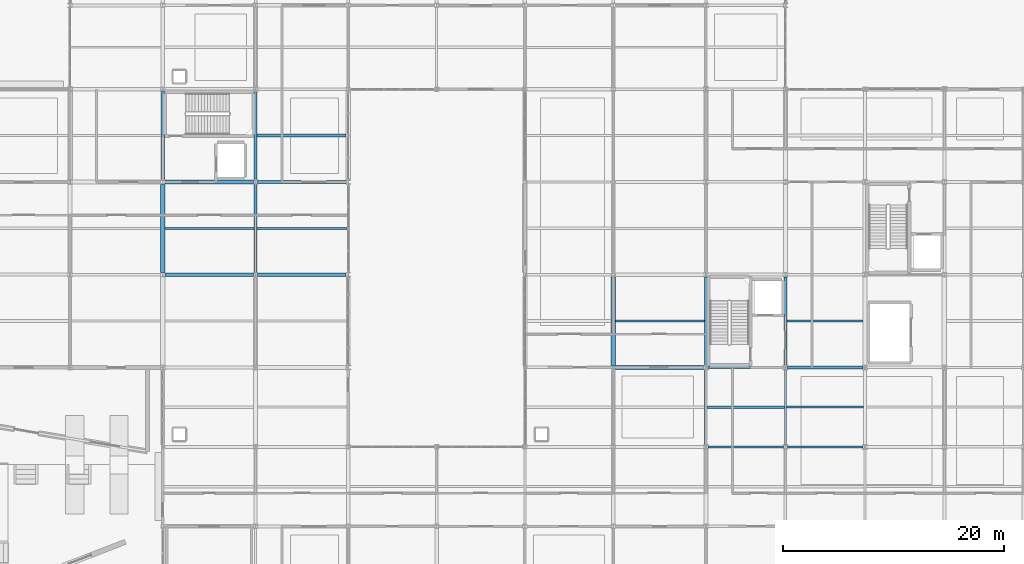
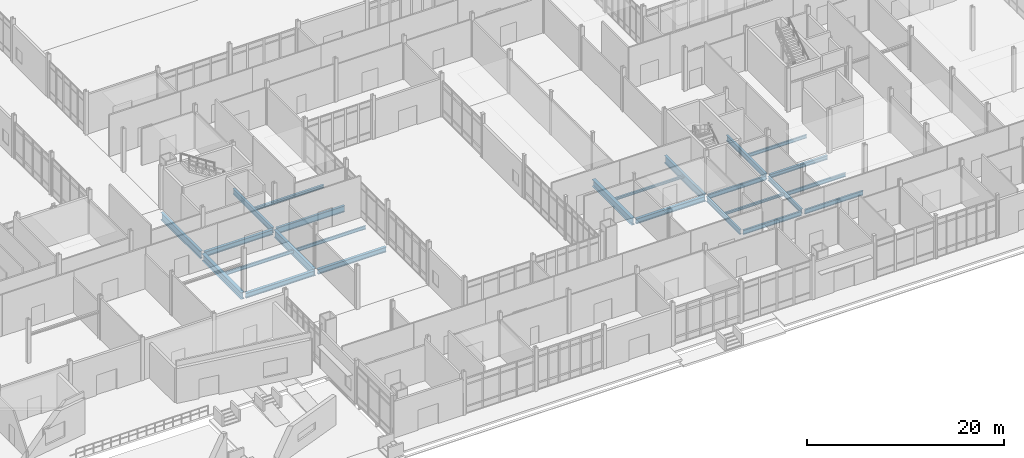
# One storey, part 53 of 229: 25 beams.
"""IFC4 building model written with IfcOpenShell, lengths in metres."""

import ifcopenshell
import ifcopenshell.guid

model = None  # the IFC model being written
_history = None  # IfcOwnerHistory: only IFC2X3 demands one
_inside = {}  # id of a spatial element -> (the spatial element, [elements in it])
_under = {}  # id of a project, library or spatial element -> (it, [spatial elements below it])
_declared = {}  # id of a project -> (the project, [libraries it declares])
_typed = {}  # id of a type object -> (the type object, [elements of that type])
_made_of = {}  # id of a material, layer set ... -> (it, [elements and type objects made of it])


def new_model(schema):
    """Start an empty IFC model of exactly this schema.

    Asked for "IFC4X3", IfcOpenShell would pick the latest addendum, in which some entities
    have other attributes; the version numbers below select the first issue.
    IFC2X3 requires an IfcOwnerHistory on every rooted entity: one is made here for all.
    """
    global model, _history
    if schema == "IFC4X3":
        model = ifcopenshell.file(schema_version=(4, 3, 0, 0))
    else:
        model = ifcopenshell.file(schema=schema)
    _inside.clear()
    _under.clear()
    _declared.clear()
    _typed.clear()
    _made_of.clear()
    _history = None
    if model.schema == "IFC2X3":
        org = make("IfcOrganization", Name="unknown")
        user = make(
            "IfcPersonAndOrganization",
            ThePerson=make("IfcPerson", FamilyName="unknown"),
            TheOrganization=org,
        )
        app = make(
            "IfcApplication",
            ApplicationDeveloper=org,
            Version="unknown",
            ApplicationFullName="unknown",
            ApplicationIdentifier="unknown",
        )
        _history = make(
            "IfcOwnerHistory",
            OwningUser=user,
            OwningApplication=app,
            ChangeAction="ADDED",
            CreationDate=0,
        )
    return model


def make(cls, **values):
    """One entity of the class cls with the attributes given. An attribute that is None is left unset."""
    return model.create_entity(
        cls, **{name: value for name, value in values.items() if value is not None}
    )


def rooted(cls, **values):
    """An entity with a GlobalId (a new one), such as an element, a storey or a relation."""
    return make(cls, GlobalId=ifcopenshell.guid.new(), OwnerHistory=_history, **values)


def si_unit(unit_type, name, prefix=None):
    """IfcSIUnit, for example si_unit("LENGTHUNIT", "METRE", prefix="MILLI")."""
    return make("IfcSIUnit", UnitType=unit_type, Prefix=prefix, Name=name)


def assignment(units):
    """IfcUnitAssignment: the units of a project."""
    return None if units is None else make("IfcUnitAssignment", Units=units)


def point(xyz):
    """IfcCartesianPoint."""
    return None if xyz is None else make("IfcCartesianPoint", Coordinates=xyz)


def direction(xyz):
    """IfcDirection."""
    return None if xyz is None else make("IfcDirection", DirectionRatios=xyz)


def frame(location, z_axis=None, x_axis=None):
    """IfcAxis2Placement3D, a coordinate frame: its origin and axes. An axis left out is left unset."""
    return make(
        "IfcAxis2Placement3D",
        Location=point(location),
        Axis=direction(z_axis),
        RefDirection=direction(x_axis),
    )


def frame_2d(location, x_axis=None):
    """IfcAxis2Placement2D, a coordinate frame in the plane: its origin and x axis."""
    return make(
        "IfcAxis2Placement2D", Location=point(location), RefDirection=direction(x_axis)
    )


def origin():
    """The frame at (0, 0, 0) with its axes left unset."""
    return frame((0.0, 0.0, 0.0))


def origin_2d():
    """The frame at (0, 0) in the plane with its x axis left unset."""
    return frame_2d((0.0, 0.0))


def place(relative_to, where):
    """IfcLocalPlacement: puts the frame where relative to a parent placement (None: the world)."""
    return make(
        "IfcLocalPlacement", PlacementRelTo=relative_to, RelativePlacement=where
    )


def context(
    kind, dimensions, precision=None, world=None, true_north=None, identifier=None
):
    """IfcGeometricRepresentationContext, for example the 3D "Model" context."""
    return make(
        "IfcGeometricRepresentationContext",
        ContextIdentifier=identifier,
        ContextType=kind,
        CoordinateSpaceDimension=dimensions,
        Precision=precision,
        WorldCoordinateSystem=world,
        TrueNorth=true_north,
    )


def subcontext(parent, identifier, kind, view, scale=None):
    """IfcGeometricRepresentationSubContext, for example "Body" below "Model"."""
    return make(
        "IfcGeometricRepresentationSubContext",
        ContextIdentifier=identifier,
        ContextType=kind,
        ParentContext=parent,
        TargetScale=scale,
        TargetView=view,
    )


def project(units=None, contexts=None):
    """IfcProject with its units and contexts."""
    return rooted(
        "IfcProject",
        Name="project",
        RepresentationContexts=contexts,
        UnitsInContext=assignment(units),
    )


def spatial(cls, under=None, at=None, **own):
    """A site, building, storey or space (cls), placed at a placement, below another one or the project."""
    s = rooted(cls, ObjectPlacement=at, **own)
    if under is not None:
        _under.setdefault(under.id(), (under, []))[1].append(s)
    return s


def profile(cls, at=None, kind="AREA", **sizes):
    """A parametric profile (cls). Its sizes go by their IFC names, for example OverallWidth=200.0."""
    return make(cls, ProfileType=kind, Position=at, **sizes)


def i_section(**sizes):
    """IfcIShapeProfileDef."""
    return profile("IfcIShapeProfileDef", **sizes)


def extrude(swept, where, along, depth):
    """IfcExtrudedAreaSolid: the profile swept, set in the frame where, extruded along a direction by depth."""
    return make(
        "IfcExtrudedAreaSolid",
        SweptArea=swept,
        Position=where,
        ExtrudedDirection=direction(along),
        Depth=depth,
    )


def shape(context_of_items, identifier, shape_type, items):
    """IfcShapeRepresentation: the items that make up one representation, for example the "Body"."""
    return make(
        "IfcShapeRepresentation",
        ContextOfItems=context_of_items,
        RepresentationIdentifier=identifier,
        RepresentationType=shape_type,
        Items=items,
    )


def material(Name=None, Category=None):
    """IfcMaterial."""
    return make("IfcMaterial", Name=Name, Category=Category)


def material_profile(
    of_material, cross_section, Name=None, Category=None, Priority=None
):
    """IfcMaterialProfile: a cross section and its material."""
    return make(
        "IfcMaterialProfile",
        Name=Name,
        Material=of_material,
        Profile=cross_section,
        Priority=Priority,
        Category=Category,
    )


def profile_set(profiles, Name=None, composite=None):
    """IfcMaterialProfileSet."""
    return make(
        "IfcMaterialProfileSet",
        Name=Name,
        MaterialProfiles=profiles,
        CompositeProfile=composite,
    )


def made_of(thing, what):
    """Note that an element or type object is made of a material, layer set ...; save() writes the relation."""
    if what is not None:
        _made_of.setdefault(what.id(), (what, []))[1].append(thing)
    return thing


def type_object(cls, material=None, **own):
    """A type object (cls), such as IfcWallType, which elements share."""
    return made_of(rooted(cls, **own), material)


def element(
    cls,
    number,
    at=None,
    inside=None,
    cuts=None,
    type_object=None,
    material=None,
    context=None,
    identifier="Body",
    shape_type=None,
    held_by="IfcProductDefinitionShape",
    body=None,
    shapes=None,
    **own,
):
    """One element of the class cls, such as IfcWall. Its Tag is "e" and its number.

    at: its placement. inside: the storey or other place that contains it. cuts: it is an
    opening in that element (IfcRelVoidsElement). A single representation is given by context,
    identifier, shape_type and body (its items); several are given by shapes. held_by: the class
    of the entity that holds the representations. save() writes the other relations.
    """
    e = rooted(cls, Tag="e%d" % number, ObjectPlacement=at, **own)
    if body is not None:
        shapes = [shape(context, identifier, shape_type, body)]
    if shapes is not None:
        e.Representation = make(held_by, Representations=shapes)
    if inside is not None:
        _inside.setdefault(inside.id(), (inside, []))[1].append(e)
    if cuts is not None:
        rooted(
            "IfcRelVoidsElement", RelatingBuildingElement=cuts, RelatedOpeningElement=e
        )
    if type_object is not None:
        _typed.setdefault(type_object.id(), (type_object, []))[1].append(e)
    return made_of(e, material)


def aggregate(whole, parts):
    """IfcRelAggregates: a whole, such as a stair, and the parts it consists of."""
    return rooted("IfcRelAggregates", RelatingObject=whole, RelatedObjects=parts)


def save(model, path):
    """Write the relations noted so far, then the file.

    IfcRelAggregates (storeys below a building ...), IfcRelContainedInSpatialStructure (elements
    in a storey), IfcRelDefinesByType, IfcRelAssociatesMaterial and IfcRelDeclares: one each for
    every whole, place, type object, material and project.
    """
    for whole, parts in _under.values():
        aggregate(whole, parts)
    for where, things in _inside.values():
        rooted(
            "IfcRelContainedInSpatialStructure",
            RelatedElements=things,
            RelatingStructure=where,
        )
    for kind, things in _typed.values():
        rooted("IfcRelDefinesByType", RelatedObjects=things, RelatingType=kind)
    for what, things in _made_of.values():
        rooted("IfcRelAssociatesMaterial", RelatedObjects=things, RelatingMaterial=what)
    for by, libraries in _declared.values():
        rooted("IfcRelDeclares", RelatingContext=by, RelatedDefinitions=libraries)
    model.write(path)


model = new_model("IFC4")

# Units and contexts
model_context = context("Model", 3, precision=1e-05, world=origin(), true_north=direction((0.0, 1.0)))
body_context = subcontext(model_context, "Body", "Model", "MODEL_VIEW")
ifc_project = project(units=[si_unit("LENGTHUNIT", "METRE"), si_unit("AREAUNIT", "SQUARE_METRE"), si_unit("VOLUMEUNIT", "CUBIC_METRE"), si_unit("PLANEANGLEUNIT", "RADIAN"), si_unit("MASSUNIT", "GRAM", prefix="KILO")], contexts=[model_context])

# Site, building, storey
site_placement = place(None, origin())
site = spatial("IfcSite", under=ifc_project, at=site_placement, CompositionType="ELEMENT")
building_placement = place(site_placement, origin())
building = spatial("IfcBuilding", under=site, at=building_placement, Name="Calvrana Isthmian Art Gallery", CompositionType="ELEMENT")
storey_placement = place(building_placement, origin())
storey = spatial("IfcBuildingStorey", under=building, at=storey_placement, Name="L00", CompositionType="ELEMENT", Elevation=0.0)

# Beams
ifc_material = material(Name="Steel ASTM A992 Gr 50", Category="steel")
ifc_material_profile_1 = material_profile(ifc_material, i_section(OverallWidth=0.279052734375, OverallDepth=0.4619140625, WebThickness=0.0107421875, FlangeThickness=0.017333984375, FilletRadius=0.02001953125, at=origin_2d()), Name="W18X76")
ifc_profile_set_1 = profile_set([ifc_material_profile_1], Name="Steel ASTM A992 Gr 50")
beam_type_1 = type_object("IfcBeamType", Name="BM-G-W18X76", PredefinedType="BEAM", material=ifc_profile_set_1)
beam_1_placement = place(storey_placement, frame((120.201904296875, 21.60009765625, -0.51611328125), z_axis=(1.0, 0.0, 0.0), x_axis=(0.0, 1.0, 0.0)))
element("IfcBeam", 1, at=beam_1_placement, inside=storey, type_object=beam_type_1, Name="Girder X L00 16-17/D", PredefinedType="BEAM", context=body_context, shape_type="SweptSolid", body=[
    extrude(i_section(OverallWidth=0.279052734375, OverallDepth=0.4619140625, WebThickness=0.0107421875, FlangeThickness=0.017333984375, FilletRadius=0.02001953125, at=origin_2d()), origin(), (0.0, 0.0, 1.0), 6.798583984375),
])
ifc_material_profile_2 = material_profile(ifc_material, i_section(OverallWidth=0.208984375, OverallDepth=0.532958984375, WebThickness=0.01025390625, FlangeThickness=0.015625, FilletRadius=0.02099609375, at=origin_2d()), Name="W21X62")
ifc_profile_set_2 = profile_set([ifc_material_profile_2], Name="Steel ASTM A992 Gr 50")
beam_type_2 = type_object("IfcBeamType", Name="BM-G-W21X62", PredefinedType="BEAM", material=ifc_profile_set_2)
beam_2_placement = place(storey_placement, frame((120.199462890625, 14.39990234375, -0.551513671875), z_axis=(1.0, 0.0, 0.0), x_axis=(0.0, 1.0, 0.0)))
element("IfcBeam", 2, at=beam_2_placement, inside=storey, type_object=beam_type_2, Name="Girder X L00 16-17/C", PredefinedType="BEAM", context=body_context, shape_type="SweptSolid", body=[
    extrude(i_section(OverallWidth=0.208984375, OverallDepth=0.532958984375, WebThickness=0.01025390625, FlangeThickness=0.015625, FilletRadius=0.02099609375, at=origin_2d()), origin(), (0.0, 0.0, 1.0), 6.802490234375),
])
beam_3_placement = place(storey_placement, frame((112.99951171875, 21.60009765625, -0.551513671875), z_axis=(1.0, 0.0, 0.0), x_axis=(0.0, 1.0, 0.0)))
element("IfcBeam", 3, at=beam_3_placement, inside=storey, type_object=beam_type_2, Name="Girder X L00 15-16/D", PredefinedType="BEAM", context=body_context, shape_type="SweptSolid", body=[
    extrude(i_section(OverallWidth=0.208984375, OverallDepth=0.532958984375, WebThickness=0.01025390625, FlangeThickness=0.015625, FilletRadius=0.02099609375, at=origin_2d()), origin(), (0.0, 0.0, 1.0), 6.798583984375),
])
beam_4_placement = place(storey_placement, frame((120.0, 14.593017578125, -0.551513671875), z_axis=(0.0, 1.0, 0.0), x_axis=(-1.0, 0.0, 0.0)))
element("IfcBeam", 4, at=beam_4_placement, inside=storey, type_object=beam_type_2, Name="Girder Y L00 16/C-D", PredefinedType="BEAM", context=body_context, shape_type="SweptSolid", body=[
    extrude(i_section(OverallWidth=0.208984375, OverallDepth=0.532958984375, WebThickness=0.01025390625, FlangeThickness=0.015625, FilletRadius=0.02099609375, at=origin_2d()), origin(), (0.0, 0.0, 1.0), 6.803955078125),
])
ifc_material_profile_3 = material_profile(ifc_material, i_section(OverallWidth=0.214111328125, OverallDepth=0.549072265625, WebThickness=0.0146484375, FlangeThickness=0.023681640625, FilletRadius=0.02099609375, at=origin_2d()), Name="W21X93")
ifc_profile_set_3 = profile_set([ifc_material_profile_3], Name="Steel ASTM A992 Gr 50")
beam_type_3 = type_object("IfcBeamType", Name="BM-G-W21X93", PredefinedType="BEAM", material=ifc_profile_set_3)
beam_5_placement = place(storey_placement, frame((112.986572265625, 14.39990234375, -0.5595703125), z_axis=(1.0, 0.0, 0.0), x_axis=(0.0, 1.0, 0.0)))
element("IfcBeam", 5, at=beam_5_placement, inside=storey, type_object=beam_type_3, Name="Girder X L00 15-16/C", PredefinedType="BEAM", context=body_context, shape_type="SweptSolid", body=[
    extrude(i_section(OverallWidth=0.214111328125, OverallDepth=0.549072265625, WebThickness=0.0146484375, FlangeThickness=0.023681640625, FilletRadius=0.02099609375, at=origin_2d()), origin(), (0.0, 0.0, 1.0), 6.81396484375),
])
ifc_material_profile_4 = material_profile(ifc_material, i_section(OverallWidth=0.324951171875, OverallDepth=0.612060546875, WebThickness=0.0126953125, FlangeThickness=0.01904296875, FilletRadius=0.02197265625, at=origin_2d()), Name="W24X104")
ifc_profile_set_4 = profile_set([ifc_material_profile_4], Name="Steel ASTM A992 Gr 50")
beam_type_4 = type_object("IfcBeamType", Name="BM-G-W24X104", PredefinedType="BEAM", material=ifc_profile_set_4)
beam_6_placement = place(storey_placement, frame((72.199462890625, 30.0, -0.591064453125), z_axis=(1.0, 0.0, 0.0), x_axis=(0.0, 1.0, 0.0)))
element("IfcBeam", 6, at=beam_6_placement, inside=storey, type_object=beam_type_4, Name="Girder X L00 10-11/E", PredefinedType="BEAM", context=body_context, shape_type="SweptSolid", body=[
    extrude(i_section(OverallWidth=0.324951171875, OverallDepth=0.612060546875, WebThickness=0.0126953125, FlangeThickness=0.01904296875, FilletRadius=0.02197265625, at=origin_2d()), origin(), (0.0, 0.0, 1.0), 7.99755859375),
])
beam_7_placement = place(storey_placement, frame((63.802978515625, 38.39990234375, -0.591064453125), z_axis=(1.0, 0.0, 0.0), x_axis=(0.0, 1.0, 0.0)))
element("IfcBeam", 7, at=beam_7_placement, inside=storey, type_object=beam_type_4, Name="Girder X L00 09-10/F", PredefinedType="BEAM", context=body_context, shape_type="SweptSolid", body=[
    extrude(i_section(OverallWidth=0.324951171875, OverallDepth=0.612060546875, WebThickness=0.0126953125, FlangeThickness=0.01904296875, FilletRadius=0.02197265625, at=origin_2d()), origin(), (0.0, 0.0, 1.0), 7.99658203125),
])
ifc_material_profile_5 = material_profile(ifc_material, i_section(OverallWidth=0.327880859375, OverallDepth=0.6220703125, WebThickness=0.015380859375, FlangeThickness=0.0244140625, FilletRadius=0.02197265625, at=origin_2d()), Name="W24X131")
ifc_profile_set_5 = profile_set([ifc_material_profile_5], Name="Steel ASTM A992 Gr 50")
beam_type_5 = type_object("IfcBeamType", Name="BM-G-W24X131", PredefinedType="BEAM", material=ifc_profile_set_5)
beam_8_placement = place(storey_placement, frame((104.58642578125, 21.60009765625, -0.595947265625), z_axis=(1.0, 0.0, 0.0), x_axis=(0.0, 1.0, 0.0)))
element("IfcBeam", 8, at=beam_8_placement, inside=storey, type_object=beam_type_5, Name="Girder X L00 14-15/D", PredefinedType="BEAM", context=body_context, shape_type="SweptSolid", body=[
    extrude(i_section(OverallWidth=0.327880859375, OverallDepth=0.6220703125, WebThickness=0.015380859375, FlangeThickness=0.0244140625, FilletRadius=0.02197265625, at=origin_2d()), origin(), (0.0, 0.0, 1.0), 8.01416015625),
])
beam_9_placement = place(storey_placement, frame((63.802001953125, 30.0, -0.595947265625), z_axis=(1.0, 0.0, 0.0), x_axis=(0.0, 1.0, 0.0)))
element("IfcBeam", 9, at=beam_9_placement, inside=storey, type_object=beam_type_5, Name="Girder X L00 09-10/E", PredefinedType="BEAM", context=body_context, shape_type="SweptSolid", body=[
    extrude(i_section(OverallWidth=0.327880859375, OverallDepth=0.6220703125, WebThickness=0.015380859375, FlangeThickness=0.0244140625, FilletRadius=0.02197265625, at=origin_2d()), origin(), (0.0, 0.0, 1.0), 7.99853515625),
])
ifc_material_profile_6 = material_profile(ifc_material, i_section(OverallWidth=0.22802734375, OverallDepth=0.60693359375, WebThickness=0.01123046875, FlangeThickness=0.017333984375, FilletRadius=0.02197265625, at=origin_2d()), Name="W24X76")
ifc_profile_set_6 = profile_set([ifc_material_profile_6], Name="Steel ASTM A992 Gr 50")
beam_type_6 = type_object("IfcBeamType", Name="BM-G-W24X76", PredefinedType="BEAM", material=ifc_profile_set_6)
beam_10_placement = place(storey_placement, frame((112.800048828125, 14.58642578125, -0.58837890625), z_axis=(0.0, 1.0, 0.0), x_axis=(-1.0, 0.0, 0.0)))
element("IfcBeam", 10, at=beam_10_placement, inside=storey, type_object=beam_type_6, Name="Girder Y L00 15/C-D", PredefinedType="BEAM", context=body_context, shape_type="SweptSolid", body=[
    extrude(i_section(OverallWidth=0.22802734375, OverallDepth=0.60693359375, WebThickness=0.01123046875, FlangeThickness=0.017333984375, FilletRadius=0.02197265625, at=origin_2d()), origin(), (0.0, 0.0, 1.0), 6.820556640625),
])
ifc_material_profile_7 = material_profile(ifc_material, i_section(OverallWidth=0.257080078125, OverallDepth=0.693115234375, WebThickness=0.014404296875, FlangeThickness=0.023681640625, FilletRadius=0.02392578125, at=origin_2d()), Name="W27X114")
ifc_profile_set_7 = profile_set([ifc_material_profile_7], Name="Steel ASTM A992 Gr 50")
beam_type_7 = type_object("IfcBeamType", Name="BM-G-W27X114", PredefinedType="BEAM", material=ifc_profile_set_7)
beam_11_placement = place(storey_placement, frame((72.0, 38.599609375, -0.631591796875), z_axis=(0.0, 1.0, 0.0), x_axis=(-1.0, 0.0, 0.0)))
element("IfcBeam", 11, at=beam_11_placement, inside=storey, type_object=beam_type_7, Name="Girder Y L00 10/F-G", PredefinedType="BEAM", context=body_context, shape_type="SweptSolid", body=[
    extrude(i_section(OverallWidth=0.257080078125, OverallDepth=0.693115234375, WebThickness=0.014404296875, FlangeThickness=0.023681640625, FilletRadius=0.02392578125, at=origin_2d()), origin(), (0.0, 0.0, 1.0), 7.997314453125),
])
beam_12_placement = place(storey_placement, frame((120.0, 21.802978515625, -0.631591796875), z_axis=(0.0, 1.0, 0.0), x_axis=(-1.0, 0.0, 0.0)))
element("IfcBeam", 12, at=beam_12_placement, inside=storey, type_object=beam_type_7, Name="Girder Y L00 16/D-E", PredefinedType="BEAM", context=body_context, shape_type="SweptSolid", body=[
    extrude(i_section(OverallWidth=0.257080078125, OverallDepth=0.693115234375, WebThickness=0.014404296875, FlangeThickness=0.023681640625, FilletRadius=0.02392578125, at=origin_2d()), origin(), (0.0, 0.0, 1.0), 7.988525390625),
])
ifc_material_profile_8 = material_profile(ifc_material, i_section(OverallWidth=0.26708984375, OverallDepth=0.761962890625, WebThickness=0.014404296875, FlangeThickness=0.021484375, FilletRadius=0.02490234375, at=origin_2d()), Name="W30X116")
ifc_profile_set_8 = profile_set([ifc_material_profile_8], Name="Steel ASTM A992 Gr 50")
beam_type_8 = type_object("IfcBeamType", Name="BM-G-W30X116", PredefinedType="BEAM", material=ifc_profile_set_8)
beam_13_placement = place(storey_placement, frame((72.200439453125, 38.39990234375, -0.666015625), z_axis=(1.0, 0.0, 0.0), x_axis=(0.0, 1.0, 0.0)))
element("IfcBeam", 13, at=beam_13_placement, inside=storey, type_object=beam_type_8, Name="Girder X L00 10-11/F", PredefinedType="BEAM", context=body_context, shape_type="SweptSolid", body=[
    extrude(i_section(OverallWidth=0.26708984375, OverallDepth=0.761962890625, WebThickness=0.014404296875, FlangeThickness=0.021484375, FilletRadius=0.02490234375, at=origin_2d()), origin(), (0.0, 0.0, 1.0), 8.0),
])
ifc_material_profile_9 = material_profile(ifc_material, i_section(OverallWidth=0.40087890625, OverallDepth=0.85595703125, WebThickness=0.018310546875, FlangeThickness=0.029296875, FilletRadius=0.02587890625, at=origin_2d()), Name="W33X201")
ifc_profile_set_9 = profile_set([ifc_material_profile_9], Name="Steel ASTM A992 Gr 50")
beam_type_9 = type_object("IfcBeamType", Name="BM-G-W33X201", PredefinedType="BEAM", material=ifc_profile_set_9)
beam_14_placement = place(storey_placement, frame((63.60009765625, 30.202880859375, -0.712890625), z_axis=(0.0, 1.0, 0.0), x_axis=(-1.0, 0.0, 0.0)))
element("IfcBeam", 14, at=beam_14_placement, inside=storey, type_object=beam_type_9, Name="Girder Y L00 09/E-F", PredefinedType="BEAM", context=body_context, shape_type="SweptSolid", body=[
    extrude(i_section(OverallWidth=0.40087890625, OverallDepth=0.85595703125, WebThickness=0.018310546875, FlangeThickness=0.029296875, FilletRadius=0.02587890625, at=origin_2d()), origin(), (0.0, 0.0, 1.0), 7.988525390625),
])
beam_15_placement = place(storey_placement, frame((104.39990234375, 21.783935546875, -0.712890625), z_axis=(0.0, 1.0, 0.0), x_axis=(-1.0, 0.0, 0.0)))
element("IfcBeam", 15, at=beam_15_placement, inside=storey, type_object=beam_type_9, Name="Girder Y L00 14/D-E", PredefinedType="BEAM", context=body_context, shape_type="SweptSolid", body=[
    extrude(i_section(OverallWidth=0.40087890625, OverallDepth=0.85595703125, WebThickness=0.018310546875, FlangeThickness=0.029296875, FilletRadius=0.02587890625, at=origin_2d()), origin(), (0.0, 0.0, 1.0), 8.029541015625),
])
ifc_material_profile_10 = material_profile(ifc_material, i_section(OverallWidth=0.306884765625, OverallDepth=0.927001953125, WebThickness=0.019287109375, FlangeThickness=0.031982421875, FilletRadius=0.028076171875, at=origin_2d()), Name="W36X194")
ifc_profile_set_10 = profile_set([ifc_material_profile_10], Name="Steel ASTM A992 Gr 50")
beam_type_10 = type_object("IfcBeamType", Name="BM-G-W36X194", PredefinedType="BEAM", material=ifc_profile_set_10)
beam_16_placement = place(storey_placement, frame((63.60009765625, 38.6083984375, -0.74853515625), z_axis=(0.0, 1.0, 0.0), x_axis=(-1.0, 0.0, 0.0)))
element("IfcBeam", 16, at=beam_16_placement, inside=storey, type_object=beam_type_10, Name="Girder Y L00 09/F-G", PredefinedType="BEAM", context=body_context, shape_type="SweptSolid", body=[
    extrude(i_section(OverallWidth=0.306884765625, OverallDepth=0.927001953125, WebThickness=0.019287109375, FlangeThickness=0.031982421875, FilletRadius=0.028076171875, at=origin_2d()), origin(), (0.0, 0.0, 1.0), 7.99853515625),
])
beam_17_placement = place(storey_placement, frame((72.0, 30.197021484375, -0.74853515625), z_axis=(0.0, 1.0, 0.0), x_axis=(-1.0, 0.0, 0.0)))
element("IfcBeam", 17, at=beam_17_placement, inside=storey, type_object=beam_type_10, Name="Girder Y L00 10/E-F", PredefinedType="BEAM", context=body_context, shape_type="SweptSolid", body=[
    extrude(i_section(OverallWidth=0.306884765625, OverallDepth=0.927001953125, WebThickness=0.019287109375, FlangeThickness=0.031982421875, FilletRadius=0.028076171875, at=origin_2d()), origin(), (0.0, 0.0, 1.0), 8.00341796875),
])
beam_18_placement = place(storey_placement, frame((112.800048828125, 21.79296875, -0.74853515625), z_axis=(0.0, 1.0, 0.0), x_axis=(-1.0, 0.0, 0.0)))
element("IfcBeam", 18, at=beam_18_placement, inside=storey, type_object=beam_type_10, Name="Girder Y L00 15/D-E", PredefinedType="BEAM", context=body_context, shape_type="SweptSolid", body=[
    extrude(i_section(OverallWidth=0.306884765625, OverallDepth=0.927001953125, WebThickness=0.019287109375, FlangeThickness=0.031982421875, FilletRadius=0.028076171875, at=origin_2d()), origin(), (0.0, 0.0, 1.0), 8.010009765625),
])
ifc_material_profile_11 = material_profile(ifc_material, i_section(OverallWidth=0.202880859375, OverallDepth=0.302001953125, WebThickness=0.007568359375, FlangeThickness=0.01318359375, FilletRadius=0.01611328125, at=origin_2d()), Name="W12X40")
ifc_profile_set_11 = profile_set([ifc_material_profile_11], Name="Steel ASTM A992 Gr 50")
beam_type_11 = type_object("IfcBeamType", Name="BM-J-W12X40", PredefinedType="JOIST", material=ifc_profile_set_11)
beam_19_placement = place(storey_placement, frame((104.6005859375, 25.800048828125, -0.43603515625), z_axis=(1.0, 0.0, 0.0), x_axis=(0.0, 1.0, 0.0)))
element("IfcBeam", 19, at=beam_19_placement, inside=storey, type_object=beam_type_11, Name="Composite joist L00 bay 13-03", PredefinedType="JOIST", context=body_context, shape_type="SweptSolid", body=[
    extrude(i_section(OverallWidth=0.202880859375, OverallDepth=0.302001953125, WebThickness=0.007568359375, FlangeThickness=0.01318359375, FilletRadius=0.01611328125, at=origin_2d()), origin(), (0.0, 0.0, 1.0), 8.0458984375),
])
beam_20_placement = place(storey_placement, frame((112.9140625, 18.0, -0.43603515625), z_axis=(1.0, 0.0, 0.0), x_axis=(0.0, 1.0, 0.0)))
element("IfcBeam", 20, at=beam_20_placement, inside=storey, type_object=beam_type_11, Name="Composite joist L00 bay 14-02", PredefinedType="JOIST", context=body_context, shape_type="SweptSolid", body=[
    extrude(i_section(OverallWidth=0.202880859375, OverallDepth=0.302001953125, WebThickness=0.007568359375, FlangeThickness=0.01318359375, FilletRadius=0.01611328125, at=origin_2d()), origin(), (0.0, 0.0, 1.0), 6.9814453125),
])
ifc_material_profile_12 = material_profile(ifc_material, i_section(OverallWidth=0.25390625, OverallDepth=0.35302734375, WebThickness=0.009521484375, FlangeThickness=0.016357421875, FilletRadius=0.01806640625, at=origin_2d()), Name="W14X61")
ifc_profile_set_12 = profile_set([ifc_material_profile_12], Name="Steel ASTM A992 Gr 50")
beam_type_12 = type_object("IfcBeamType", Name="BM-J-W14X61", PredefinedType="JOIST", material=ifc_profile_set_12)
beam_21_placement = place(storey_placement, frame((72.12841796875, 42.60009765625, -0.46142578125), z_axis=(1.0, 0.0, 0.0), x_axis=(0.0, 1.0, 0.0)))
element("IfcBeam", 21, at=beam_21_placement, inside=storey, type_object=beam_type_12, Name="Composite joist L00 bay 09-05", PredefinedType="JOIST", context=body_context, shape_type="SweptSolid", body=[
    extrude(i_section(OverallWidth=0.25390625, OverallDepth=0.35302734375, WebThickness=0.009521484375, FlangeThickness=0.016357421875, FilletRadius=0.01806640625, at=origin_2d()), origin(), (0.0, 0.0, 1.0), 8.0810546875),
])
ifc_material_profile_13 = material_profile(ifc_material, i_section(OverallWidth=0.177978515625, OverallDepth=0.404052734375, WebThickness=0.007568359375, FlangeThickness=0.010986328125, FilletRadius=0.01806640625, at=origin_2d()), Name="W16X36")
ifc_profile_set_13 = profile_set([ifc_material_profile_13], Name="Steel ASTM A992 Gr 50")
beam_type_13 = type_object("IfcBeamType", Name="BM-J-W16X36", PredefinedType="JOIST", material=ifc_profile_set_13)
beam_22_placement = place(storey_placement, frame((72.153564453125, 34.199951171875, -0.487060546875), z_axis=(1.0, 0.0, 0.0), x_axis=(0.0, 1.0, 0.0)))
element("IfcBeam", 22, at=beam_22_placement, inside=storey, type_object=beam_type_13, Name="Composite joist L00 bay 09-04", PredefinedType="JOIST", context=body_context, shape_type="SweptSolid", body=[
    extrude(i_section(OverallWidth=0.177978515625, OverallDepth=0.404052734375, WebThickness=0.007568359375, FlangeThickness=0.010986328125, FilletRadius=0.01806640625, at=origin_2d()), origin(), (0.0, 0.0, 1.0), 8.117919921875),
])
ifc_material_profile_14 = material_profile(ifc_material, i_section(OverallWidth=0.179931640625, OverallDepth=0.4140625, WebThickness=0.009765625, FlangeThickness=0.01611328125, FilletRadius=0.01806640625, at=origin_2d()), Name="W16X50")
ifc_profile_set_14 = profile_set([ifc_material_profile_14], Name="Steel ASTM A992 Gr 50")
beam_type_14 = type_object("IfcBeamType", Name="BM-J-W16X50", PredefinedType="JOIST", material=ifc_profile_set_14)
beam_23_placement = place(storey_placement, frame((63.800537109375, 34.199951171875, -0.491943359375), z_axis=(1.0, 0.0, 0.0), x_axis=(0.0, 1.0, 0.0)))
element("IfcBeam", 23, at=beam_23_placement, inside=storey, type_object=beam_type_14, Name="Composite joist L00 bay 08-04", PredefinedType="JOIST", context=body_context, shape_type="SweptSolid", body=[
    extrude(i_section(OverallWidth=0.179931640625, OverallDepth=0.4140625, WebThickness=0.009765625, FlangeThickness=0.01611328125, FilletRadius=0.01806640625, at=origin_2d()), origin(), (0.0, 0.0, 1.0), 8.0458984375),
])
beam_24_placement = place(storey_placement, frame((120.12841796875, 25.800048828125, -0.491943359375), z_axis=(1.0, 0.0, 0.0), x_axis=(0.0, 1.0, 0.0)))
element("IfcBeam", 24, at=beam_24_placement, inside=storey, type_object=beam_type_14, Name="Composite joist L00 bay 15-03", PredefinedType="JOIST", context=body_context, shape_type="SweptSolid", body=[
    extrude(i_section(OverallWidth=0.179931640625, OverallDepth=0.4140625, WebThickness=0.009765625, FlangeThickness=0.01611328125, FilletRadius=0.01806640625, at=origin_2d()), origin(), (0.0, 0.0, 1.0), 6.881103515625),
])
ifc_material_profile_15 = material_profile(ifc_material, i_section(OverallWidth=0.19091796875, OverallDepth=0.45703125, WebThickness=0.009033203125, FlangeThickness=0.014404296875, FilletRadius=0.02001953125, at=origin_2d()), Name="W18X50")
ifc_profile_set_15 = profile_set([ifc_material_profile_15], Name="Steel ASTM A992 Gr 50")
beam_type_15 = type_object("IfcBeamType", Name="BM-J-W18X50", PredefinedType="JOIST", material=ifc_profile_set_15)
beam_25_placement = place(storey_placement, frame((120.1044921875, 18.0, -0.513427734375), z_axis=(1.0, 0.0, 0.0), x_axis=(0.0, 1.0, 0.0)))
element("IfcBeam", 25, at=beam_25_placement, inside=storey, type_object=beam_type_15, Name="Composite joist L00 bay 15-02", PredefinedType="JOIST", context=body_context, shape_type="SweptSolid", body=[
    extrude(i_section(OverallWidth=0.19091796875, OverallDepth=0.45703125, WebThickness=0.009033203125, FlangeThickness=0.014404296875, FilletRadius=0.02001953125, at=origin_2d()), origin(), (0.0, 0.0, 1.0), 6.9560546875),
])

save(model, "model.ifc")
